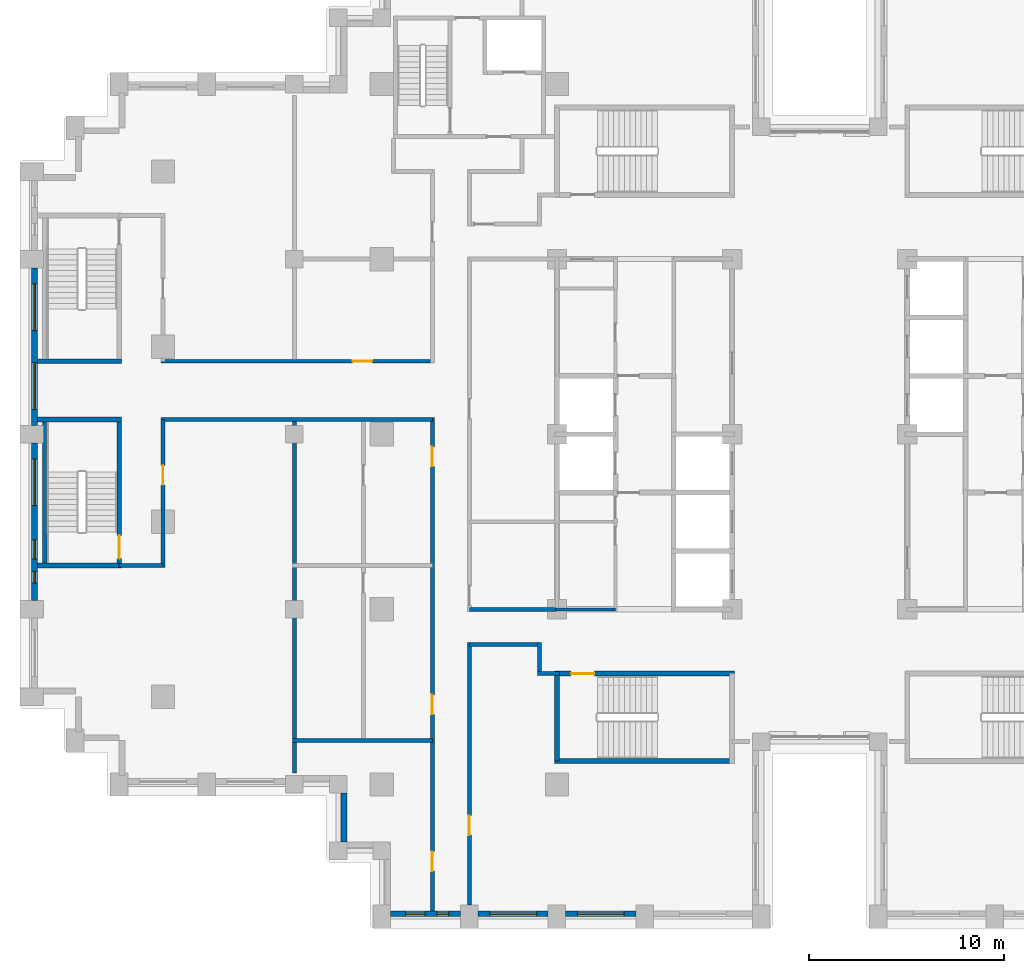
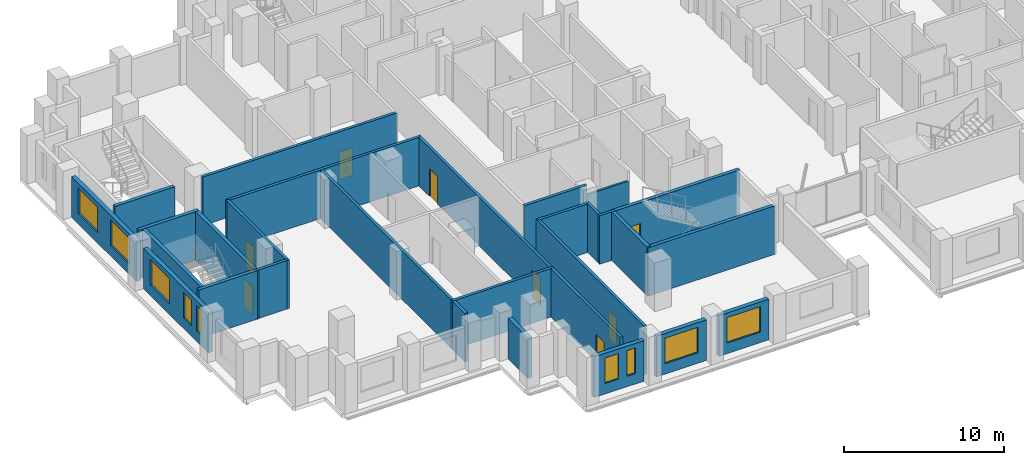
# One storey, part 6 of 16: 27 walls, 9 windows, 8 doors, 17 openings.
"""IFC4 building model written with IfcOpenShell, lengths in metres."""

from ifc_helpers import new_model, si_unit, direction, frame, frame_2d, origin, place, context, subcontext, project, spatial, rectangle, extrude, material, layer, layer_set, type_object, element, fill, save


model = new_model("IFC4")

# Units and contexts
model_context = context("Model", 3, precision=1e-05, world=origin(), true_north=direction((0.0, 1.0)))
body_context = subcontext(model_context, "Body", "Model", "MODEL_VIEW")
ifc_project = project(units=[si_unit("LENGTHUNIT", "METRE"), si_unit("AREAUNIT", "SQUARE_METRE"), si_unit("VOLUMEUNIT", "CUBIC_METRE"), si_unit("PLANEANGLEUNIT", "RADIAN"), si_unit("MASSUNIT", "GRAM", prefix="KILO")], contexts=[model_context])

# Site, building, storey
site_placement = place(None, origin())
site = spatial("IfcSite", under=ifc_project, at=site_placement, CompositionType="ELEMENT")
building_placement = place(site_placement, origin())
building = spatial("IfcBuilding", under=site, at=building_placement, Name="Corbelhall Arena Tower", CompositionType="ELEMENT")
storey_placement = place(building_placement, frame((0.0, 0.0, 112.0)))
storey = spatial("IfcBuildingStorey", under=building, at=storey_placement, Name="L20", CompositionType="ELEMENT", Elevation=112.0)

# Wall, openings, windows
ifc_material_1 = material(Name="Precast concrete C40/50 with granite facing", Category="masonry")
ifc_layer_1 = layer(ifc_material_1, 0.300048828125)
ifc_layer_set_1 = layer_set([ifc_layer_1], Name="EV-IW1 Infill panel 300")
wall_type_1 = type_object("IfcWallType", Name="EV-IW1 Infill panel 300", PredefinedType="SOLIDWALL", material=ifc_layer_set_1)
wall_1_placement = place(storey_placement, frame((-40.35009765625, 8.550048828125, 0.0), z_axis=(0.0, 0.0, 1.0), x_axis=(0.0, -1.0, 0.0)))
wall_1 = element("IfcWall", 1, at=wall_1_placement, inside=storey, type_object=wall_type_1, Name="Infill panel IW1", PredefinedType="SOLIDWALL", context=body_context, shape_type="SweptSolid", body=[
    extrude(rectangle(XDim=8.10009765625, YDim=0.300048828125, at=frame_2d((4.050048828125, 0.0))), origin(), (0.0, 0.0, 1.0), 3.10009765625),
])
opening_1_placement = place(wall_1_placement, frame((0.824951171875, 0.0, 0.800048828125)))
opening_1 = element("IfcOpeningElement", 2, at=opening_1_placement, cuts=wall_1, Name="Opening WN1", PredefinedType="OPENING", context=body_context, shape_type="SweptSolid", body=[
    extrude(rectangle(XDim=2.39990234375, YDim=1.949951171875, at=frame_2d((1.199951171875, 0.97509765625))), frame((0.0, 0.14990234375, 0.0), z_axis=(0.0, -1.0, 0.0), x_axis=(1.0, 0.0, 0.0)), (0.0, 0.0, 1.0), 0.300048828125),
])
opening_2_placement = place(wall_1_placement, frame((4.875, 0.0, 0.800048828125)))
opening_2 = element("IfcOpeningElement", 3, at=opening_2_placement, cuts=wall_1, Name="Opening WN1", PredefinedType="OPENING", context=body_context, shape_type="SweptSolid", body=[
    extrude(rectangle(XDim=2.39990234375, YDim=1.949951171875, at=frame_2d((1.199951171875, 0.97509765625))), frame((0.0, 0.14990234375, 0.0), z_axis=(0.0, -1.0, 0.0), x_axis=(1.0, 0.0, 0.0)), (0.0, 0.0, 1.0), 0.300048828125),
])
ifc_material_2 = material(Name="Aluminium black anodised", Category="aluminium")
window_type_1 = type_object("IfcWindowType", Name="EV-WN1 Office window", PartitioningType="SINGLE_PANEL", PredefinedType="WINDOW", material=ifc_material_2)
window_1_placement = place(opening_1_placement, origin())
window_1 = element("IfcWindow", 4, at=window_1_placement, inside=storey, type_object=window_type_1, Name="Window WN1", OverallHeight=1.949951171875, OverallWidth=2.39990234375, PartitioningType="SINGLE_PANEL", PredefinedType="WINDOW", context=body_context, shape_type="SweptSolid", body=[
    extrude(rectangle(XDim=2.39990234375, YDim=1.949951171875, at=frame_2d((1.199951171875, 0.97509765625))), frame((0.0, 0.030029296875, 0.0), z_axis=(0.0, -1.0, 0.0), x_axis=(1.0, 0.0, 0.0)), (0.0, 0.0, 1.0), 0.06005859375),
])
fill(opening_1, window_1)
window_2_placement = place(opening_2_placement, origin())
window_2 = element("IfcWindow", 5, at=window_2_placement, inside=storey, type_object=window_type_1, Name="Window WN1", OverallHeight=1.949951171875, OverallWidth=2.39990234375, PartitioningType="SINGLE_PANEL", PredefinedType="WINDOW", context=body_context, shape_type="SweptSolid", body=[
    extrude(rectangle(XDim=2.39990234375, YDim=1.949951171875, at=frame_2d((1.199951171875, 0.97509765625))), frame((0.0, 0.030029296875, 0.0), z_axis=(0.0, -1.0, 0.0), x_axis=(1.0, 0.0, 0.0)), (0.0, 0.0, 1.0), 0.06005859375),
])
fill(opening_2, window_2)

wall_2_placement = place(storey_placement, frame((-40.35009765625, -0.449951171875, 0.0), z_axis=(0.0, 0.0, 1.0), x_axis=(0.0, -1.0, 0.0)))
wall_2 = element("IfcWall", 6, at=wall_2_placement, inside=storey, type_object=wall_type_1, Name="Infill panel IW1", PredefinedType="SOLIDWALL", context=body_context, shape_type="SweptSolid", body=[
    extrude(rectangle(XDim=8.10009765625, YDim=0.300048828125, at=frame_2d((4.050048828125, 0.0))), origin(), (0.0, 0.0, 1.0), 3.10009765625),
])
opening_3_placement = place(wall_2_placement, frame((0.824951171875, 0.0, 0.800048828125)))
opening_3 = element("IfcOpeningElement", 7, at=opening_3_placement, cuts=wall_2, Name="Opening WN1", PredefinedType="OPENING", context=body_context, shape_type="SweptSolid", body=[
    extrude(rectangle(XDim=2.39990234375, YDim=1.949951171875, at=frame_2d((1.199951171875, 0.97509765625))), frame((0.0, 0.14990234375, 0.0), z_axis=(0.0, -1.0, 0.0), x_axis=(1.0, 0.0, 0.0)), (0.0, 0.0, 1.0), 0.300048828125),
])
opening_4_placement = place(wall_2_placement, frame((4.97509765625, 0.0, 0.800048828125)))
opening_4 = element("IfcOpeningElement", 8, at=opening_4_placement, cuts=wall_2, Name="Opening WN6", PredefinedType="OPENING", context=body_context, shape_type="SweptSolid", body=[
    extrude(rectangle(XDim=1.0, YDim=1.949951171875, at=frame_2d((0.5, 0.97509765625))), frame((0.0, 0.14990234375, 0.0), z_axis=(0.0, -1.0, 0.0), x_axis=(1.0, 0.0, 0.0)), (0.0, 0.0, 1.0), 0.300048828125),
])
opening_5_placement = place(wall_2_placement, frame((6.60009765625, 0.0, 0.800048828125)))
opening_5 = element("IfcOpeningElement", 9, at=opening_5_placement, cuts=wall_2, Name="Opening WN5", PredefinedType="OPENING", context=body_context, shape_type="SweptSolid", body=[
    extrude(rectangle(XDim=0.60009765625, YDim=1.949951171875, at=frame_2d((0.300048828125, 0.97509765625))), frame((0.0, 0.14990234375, 0.0), z_axis=(0.0, -1.0, 0.0), x_axis=(1.0, 0.0, 0.0)), (0.0, 0.0, 1.0), 0.300048828125),
])
window_3_placement = place(opening_3_placement, origin())
window_3 = element("IfcWindow", 10, at=window_3_placement, inside=storey, type_object=window_type_1, Name="Window WN1", OverallHeight=1.949951171875, OverallWidth=2.39990234375, PartitioningType="SINGLE_PANEL", PredefinedType="WINDOW", context=body_context, shape_type="SweptSolid", body=[
    extrude(rectangle(XDim=2.39990234375, YDim=1.949951171875, at=frame_2d((1.199951171875, 0.97509765625))), frame((0.0, 0.030029296875, 0.0), z_axis=(0.0, -1.0, 0.0), x_axis=(1.0, 0.0, 0.0)), (0.0, 0.0, 1.0), 0.06005859375),
])
fill(opening_3, window_3)
window_type_2 = type_object("IfcWindowType", Name="EV-WN5 Office window 600", PartitioningType="SINGLE_PANEL", PredefinedType="WINDOW", material=ifc_material_2)
window_4_placement = place(opening_5_placement, origin())
window_4 = element("IfcWindow", 11, at=window_4_placement, inside=storey, type_object=window_type_2, Name="Window WN5", OverallHeight=1.949951171875, OverallWidth=0.60009765625, PartitioningType="SINGLE_PANEL", PredefinedType="WINDOW", context=body_context, shape_type="SweptSolid", body=[
    extrude(rectangle(XDim=0.60009765625, YDim=1.949951171875, at=frame_2d((0.300048828125, 0.97509765625))), frame((0.0, 0.030029296875, 0.0), z_axis=(0.0, -1.0, 0.0), x_axis=(1.0, 0.0, 0.0)), (0.0, 0.0, 1.0), 0.06005859375),
])
fill(opening_5, window_4)
window_type_3 = type_object("IfcWindowType", Name="EV-WN6 Office window 1000", PartitioningType="SINGLE_PANEL", PredefinedType="WINDOW", material=ifc_material_2)
window_5_placement = place(opening_4_placement, origin())
window_5 = element("IfcWindow", 12, at=window_5_placement, inside=storey, type_object=window_type_3, Name="Window WN6", OverallHeight=1.949951171875, OverallWidth=1.0, PartitioningType="SINGLE_PANEL", PredefinedType="WINDOW", context=body_context, shape_type="SweptSolid", body=[
    extrude(rectangle(XDim=1.0, YDim=1.949951171875, at=frame_2d((0.5, 0.97509765625))), frame((0.0, 0.030029296875, 0.0), z_axis=(0.0, -1.0, 0.0), x_axis=(1.0, 0.0, 0.0)), (0.0, 0.0, 1.0), 0.06005859375),
])
fill(opening_4, window_5)

# Wall
wall_3_placement = place(storey_placement, frame((-24.449951171875, -18.449951171875, 0.0), z_axis=(0.0, 0.0, 1.0), x_axis=(0.0, -1.0, 0.0)))
element("IfcWall", 13, at=wall_3_placement, inside=storey, type_object=wall_type_1, Name="Infill panel IW1", PredefinedType="SOLIDWALL", context=body_context, shape_type="SweptSolid", body=[
    extrude(rectangle(XDim=2.5, YDim=0.300048828125, at=frame_2d((1.25, 0.0))), origin(), (0.0, 0.0, 1.0), 3.10009765625),
])

# Wall, openings, windows
wall_4_placement = place(storey_placement, frame((-22.050048828125, -24.64990234375, 0.0), z_axis=(0.0, 0.0, 1.0), x_axis=(1.0, 0.0, 0.0)))
wall_4 = element("IfcWall", 14, at=wall_4_placement, inside=storey, type_object=wall_type_1, Name="Infill panel IW1", PredefinedType="SOLIDWALL", context=body_context, shape_type="SweptSolid", body=[
    extrude(rectangle(XDim=3.60009765625, YDim=0.300048828125, at=frame_2d((1.800048828125, 0.0))), origin(), (0.0, 0.0, 1.0), 3.10009765625),
])
opening_6_placement = place(wall_4_placement, frame((0.77490234375, 0.0, 0.800048828125)))
opening_6 = element("IfcOpeningElement", 15, at=opening_6_placement, cuts=wall_4, Name="Opening WN6", PredefinedType="OPENING", context=body_context, shape_type="SweptSolid", body=[
    extrude(rectangle(XDim=1.0, YDim=1.949951171875, at=frame_2d((0.5, 0.97509765625))), frame((0.0, 0.14990234375, 0.0), z_axis=(0.0, -1.0, 0.0), x_axis=(1.0, 0.0, 0.0)), (0.0, 0.0, 1.0), 0.300048828125),
])
opening_7_placement = place(wall_4_placement, frame((2.375, 0.0, 0.800048828125)))
opening_7 = element("IfcOpeningElement", 16, at=opening_7_placement, cuts=wall_4, Name="Opening WN5", PredefinedType="OPENING", context=body_context, shape_type="SweptSolid", body=[
    extrude(rectangle(XDim=0.60009765625, YDim=1.949951171875, at=frame_2d((0.300048828125, 0.97509765625))), frame((0.0, 0.14990234375, 0.0), z_axis=(0.0, -1.0, 0.0), x_axis=(1.0, 0.0, 0.0)), (0.0, 0.0, 1.0), 0.300048828125),
])
window_6_placement = place(opening_7_placement, origin())
window_6 = element("IfcWindow", 17, at=window_6_placement, inside=storey, type_object=window_type_2, Name="Window WN5", OverallHeight=1.949951171875, OverallWidth=0.60009765625, PartitioningType="SINGLE_PANEL", PredefinedType="WINDOW", context=body_context, shape_type="SweptSolid", body=[
    extrude(rectangle(XDim=0.60009765625, YDim=1.949951171875, at=frame_2d((0.300048828125, 0.97509765625))), frame((0.0, 0.030029296875, 0.0), z_axis=(0.0, -1.0, 0.0), x_axis=(1.0, 0.0, 0.0)), (0.0, 0.0, 1.0), 0.06005859375),
])
fill(opening_7, window_6)
window_7_placement = place(opening_6_placement, origin())
window_7 = element("IfcWindow", 18, at=window_7_placement, inside=storey, type_object=window_type_3, Name="Window WN6", OverallHeight=1.949951171875, OverallWidth=1.0, PartitioningType="SINGLE_PANEL", PredefinedType="WINDOW", context=body_context, shape_type="SweptSolid", body=[
    extrude(rectangle(XDim=1.0, YDim=1.949951171875, at=frame_2d((0.5, 0.97509765625))), frame((0.0, 0.030029296875, 0.0), z_axis=(0.0, -1.0, 0.0), x_axis=(1.0, 0.0, 0.0)), (0.0, 0.0, 1.0), 0.06005859375),
])
fill(opening_6, window_7)

# Wall, opening, window
wall_5_placement = place(storey_placement, frame((-17.550048828125, -24.64990234375, 0.0), z_axis=(0.0, 0.0, 1.0), x_axis=(1.0, 0.0, 0.0)))
wall_5 = element("IfcWall", 19, at=wall_5_placement, inside=storey, type_object=wall_type_1, Name="Infill panel IW1", PredefinedType="SOLIDWALL", context=body_context, shape_type="SweptSolid", body=[
    extrude(rectangle(XDim=3.60009765625, YDim=0.300048828125, at=frame_2d((1.800048828125, 0.0))), origin(), (0.0, 0.0, 1.0), 3.10009765625),
])
opening_8_placement = place(wall_5_placement, frame((0.60009765625, 0.0, 0.800048828125)))
opening_8 = element("IfcOpeningElement", 20, at=opening_8_placement, cuts=wall_5, Name="Opening WN1", PredefinedType="OPENING", context=body_context, shape_type="SweptSolid", body=[
    extrude(rectangle(XDim=2.39990234375, YDim=1.949951171875, at=frame_2d((1.199951171875, 0.97509765625))), frame((0.0, 0.14990234375, 0.0), z_axis=(0.0, -1.0, 0.0), x_axis=(1.0, 0.0, 0.0)), (0.0, 0.0, 1.0), 0.300048828125),
])
window_8_placement = place(opening_8_placement, origin())
window_8 = element("IfcWindow", 21, at=window_8_placement, inside=storey, type_object=window_type_1, Name="Window WN1", OverallHeight=1.949951171875, OverallWidth=2.39990234375, PartitioningType="SINGLE_PANEL", PredefinedType="WINDOW", context=body_context, shape_type="SweptSolid", body=[
    extrude(rectangle(XDim=2.39990234375, YDim=1.949951171875, at=frame_2d((1.199951171875, 0.97509765625))), frame((0.0, 0.030029296875, 0.0), z_axis=(0.0, -1.0, 0.0), x_axis=(1.0, 0.0, 0.0)), (0.0, 0.0, 1.0), 0.06005859375),
])
fill(opening_8, window_8)

wall_6_placement = place(storey_placement, frame((-13.050048828125, -24.64990234375, 0.0), z_axis=(0.0, 0.0, 1.0), x_axis=(1.0, 0.0, 0.0)))
wall_6 = element("IfcWall", 22, at=wall_6_placement, inside=storey, type_object=wall_type_1, Name="Infill panel IW1", PredefinedType="SOLIDWALL", context=body_context, shape_type="SweptSolid", body=[
    extrude(rectangle(XDim=3.60009765625, YDim=0.300048828125, at=frame_2d((1.800048828125, 0.0))), origin(), (0.0, 0.0, 1.0), 3.10009765625),
])
opening_9_placement = place(wall_6_placement, frame((0.60009765625, 0.0, 0.800048828125)))
opening_9 = element("IfcOpeningElement", 23, at=opening_9_placement, cuts=wall_6, Name="Opening WN1", PredefinedType="OPENING", context=body_context, shape_type="SweptSolid", body=[
    extrude(rectangle(XDim=2.39990234375, YDim=1.949951171875, at=frame_2d((1.199951171875, 0.97509765625))), frame((0.0, 0.14990234375, 0.0), z_axis=(0.0, -1.0, 0.0), x_axis=(1.0, 0.0, 0.0)), (0.0, 0.0, 1.0), 0.300048828125),
])
window_9_placement = place(opening_9_placement, origin())
window_9 = element("IfcWindow", 24, at=window_9_placement, inside=storey, type_object=window_type_1, Name="Window WN1", OverallHeight=1.949951171875, OverallWidth=2.39990234375, PartitioningType="SINGLE_PANEL", PredefinedType="WINDOW", context=body_context, shape_type="SweptSolid", body=[
    extrude(rectangle(XDim=2.39990234375, YDim=1.949951171875, at=frame_2d((1.199951171875, 0.97509765625))), frame((0.0, 0.030029296875, 0.0), z_axis=(0.0, -1.0, 0.0), x_axis=(1.0, 0.0, 0.0)), (0.0, 0.0, 1.0), 0.06005859375),
])
fill(opening_9, window_9)

# Wall, opening, door
ifc_material_3 = material(Name="Gypsum board on steel stud, acoustic", Category="steel")
ifc_layer_2 = layer(ifc_material_3, 0.199951171875)
ifc_layer_set_2 = layer_set([ifc_layer_2], Name="IN-W-DM200")
wall_type_2 = type_object("IfcWallType", Name="IN-W-DM200", PredefinedType="PARTITIONING", material=ifc_layer_set_2)
wall_7_placement = place(storey_placement, frame((-33.85009765625, 3.75, 0.0), z_axis=(0.0, 0.0, 1.0), x_axis=(1.0, 0.0, 0.0)))
wall_7 = element("IfcWall", 25, at=wall_7_placement, inside=storey, type_object=wall_type_2, Name="Partition 002", PredefinedType="PARTITIONING", context=body_context, shape_type="SweptSolid", body=[
    extrude(rectangle(XDim=13.9501953125, YDim=0.199951171875, at=frame_2d((6.97509765625, 0.0))), origin(), (0.0, 0.0, 1.0), 3.699951171875),
])
opening_10_placement = place(wall_7_placement, frame((9.85009765625, 0.0, 0.0)))
opening_10 = element("IfcOpeningElement", 26, at=opening_10_placement, cuts=wall_7, Name="Opening 05031", PredefinedType="OPENING", context=body_context, shape_type="SweptSolid", body=[
    extrude(rectangle(XDim=1.0, YDim=2.10009765625, at=frame_2d((0.5, 1.050048828125))), frame((0.0, 0.10009765625, 0.0), z_axis=(0.0, -1.0, 0.0), x_axis=(1.0, 0.0, 0.0)), (0.0, 0.0, 1.0), 0.199951171875),
])
ifc_material_4 = material(Name="Steel door set", Category="steel")
door_type_1 = type_object("IfcDoorType", Name="IN-D-SW100", OperationType="NOTDEFINED", PredefinedType="DOOR", material=ifc_material_4)
door_1_placement = place(opening_10_placement, origin())
door_1 = element("IfcDoor", 27, at=door_1_placement, inside=storey, type_object=door_type_1, Name="Door 031", OperationType="SINGLE_SWING_RIGHT", OverallHeight=2.10009765625, OverallWidth=1.0, PredefinedType="DOOR", context=body_context, shape_type="SweptSolid", body=[
    extrude(rectangle(XDim=1.0, YDim=2.10009765625, at=frame_2d((0.5, 1.050048828125))), frame((0.0, 0.02490234375, 0.0), z_axis=(0.0, -1.0, 0.0), x_axis=(1.0, 0.0, 0.0)), (0.0, 0.0, 1.0), 0.050048828125),
])
fill(opening_10, door_1)

# Wall
wall_8_placement = place(storey_placement, frame((-33.75, -6.75, 0.0), z_axis=(0.0, 0.0, 1.0), x_axis=(-1.0, 0.0, 0.0)))
element("IfcWall", 28, at=wall_8_placement, inside=storey, type_object=wall_type_2, Name="Partition 003", PredefinedType="PARTITIONING", context=body_context, shape_type="SweptSolid", body=[
    extrude(rectangle(XDim=2.25, YDim=0.199951171875, at=frame_2d((1.125, 0.0))), origin(), (0.0, 0.0, 1.0), 3.699951171875),
])

# Wall, opening, door
wall_9_placement = place(storey_placement, frame((-33.75, 0.75, 0.0), z_axis=(0.0, 0.0, 1.0), x_axis=(0.0, -1.0, 0.0)))
wall_9 = element("IfcWall", 29, at=wall_9_placement, inside=storey, type_object=wall_type_2, Name="Partition 004", PredefinedType="PARTITIONING", context=body_context, shape_type="SweptSolid", body=[
    extrude(rectangle(XDim=7.60009765625, YDim=0.199951171875, at=frame_2d((3.800048828125, 0.0))), origin(), (0.0, 0.0, 1.0), 3.699951171875),
])
opening_11_placement = place(wall_9_placement, frame((2.35009765625, 0.0, 0.0)))
opening_11 = element("IfcOpeningElement", 30, at=opening_11_placement, cuts=wall_9, Name="Opening 05046", PredefinedType="OPENING", context=body_context, shape_type="SweptSolid", body=[
    extrude(rectangle(XDim=1.0, YDim=2.10009765625, at=frame_2d((0.5, 1.050048828125))), frame((0.0, 0.10009765625, 0.0), z_axis=(0.0, -1.0, 0.0), x_axis=(1.0, 0.0, 0.0)), (0.0, 0.0, 1.0), 0.199951171875),
])
door_2_placement = place(opening_11_placement, origin())
door_2 = element("IfcDoor", 31, at=door_2_placement, inside=storey, type_object=door_type_1, Name="Door 046", OperationType="SINGLE_SWING_LEFT", OverallHeight=2.10009765625, OverallWidth=1.0, PredefinedType="DOOR", context=body_context, shape_type="SweptSolid", body=[
    extrude(rectangle(XDim=1.0, YDim=2.10009765625, at=frame_2d((0.5, 1.050048828125))), frame((0.0, 0.02490234375, 0.0), z_axis=(0.0, -1.0, 0.0), x_axis=(1.0, 0.0, 0.0)), (0.0, 0.0, 1.0), 0.050048828125),
])
fill(opening_11, door_2)

# Walls
wall_10_placement = place(storey_placement, frame((-27.10009765625, -15.75, 0.0), z_axis=(0.0, 0.0, 1.0), x_axis=(1.0, 0.0, 0.0)))
element("IfcWall", 32, at=wall_10_placement, inside=storey, type_object=wall_type_2, Name="Partition 006", PredefinedType="PARTITIONING", context=body_context, shape_type="SweptSolid", body=[
    extrude(rectangle(XDim=7.2001953125, YDim=0.199951171875, at=frame_2d((3.60009765625, 0.0))), origin(), (0.0, 0.0, 1.0), 3.699951171875),
])
wall_11_placement = place(storey_placement, frame((-27.0, -17.39990234375, 0.0), z_axis=(0.0, 0.0, 1.0), x_axis=(0.0, 1.0, 0.0)))
element("IfcWall", 33, at=wall_11_placement, inside=storey, type_object=wall_type_2, Name="Partition 009", PredefinedType="PARTITIONING", context=body_context, shape_type="SweptSolid", body=[
    extrude(rectangle(XDim=18.14990234375, YDim=0.199951171875, at=frame_2d((9.074951171875, 0.0))), origin(), (0.0, 0.0, 1.0), 3.699951171875),
])
wall_12_placement = place(storey_placement, frame((-19.89990234375, 0.75, 0.0), z_axis=(0.0, 0.0, 1.0), x_axis=(-1.0, 0.0, 0.0)))
element("IfcWall", 34, at=wall_12_placement, inside=storey, type_object=wall_type_2, Name="Partition 011", PredefinedType="PARTITIONING", context=body_context, shape_type="SweptSolid", body=[
    extrude(rectangle(XDim=13.9501953125, YDim=0.199951171875, at=frame_2d((6.97509765625, 0.0))), origin(), (0.0, 0.0, 1.0), 3.699951171875),
])

# Wall, openings, doors
wall_13_placement = place(storey_placement, frame((-19.89990234375, -24.5, 0.0), z_axis=(0.0, 0.0, 1.0), x_axis=(0.0, 1.0, 0.0)))
wall_13 = element("IfcWall", 35, at=wall_13_placement, inside=storey, type_object=wall_type_2, Name="Partition 014", PredefinedType="PARTITIONING", context=body_context, shape_type="SweptSolid", body=[
    extrude(rectangle(XDim=25.35009765625, YDim=0.199951171875, at=frame_2d((12.675048828125, 0.0))), origin(), (0.0, 0.0, 1.0), 3.699951171875),
])
opening_12_placement = place(wall_13_placement, frame((2.050048828125, 0.0, 0.0)))
opening_12 = element("IfcOpeningElement", 36, at=opening_12_placement, cuts=wall_13, Name="Opening 05033", PredefinedType="OPENING", context=body_context, shape_type="SweptSolid", body=[
    extrude(rectangle(XDim=1.0, YDim=2.10009765625, at=frame_2d((0.5, 1.050048828125))), frame((0.0, 0.10009765625, 0.0), z_axis=(0.0, -1.0, 0.0), x_axis=(1.0, 0.0, 0.0)), (0.0, 0.0, 1.0), 0.199951171875),
])
opening_13_placement = place(wall_13_placement, frame((10.10009765625, 0.0, 0.0)))
opening_13 = element("IfcOpeningElement", 37, at=opening_13_placement, cuts=wall_13, Name="Opening 05034", PredefinedType="OPENING", context=body_context, shape_type="SweptSolid", body=[
    extrude(rectangle(XDim=1.0, YDim=2.10009765625, at=frame_2d((0.5, 1.050048828125))), frame((0.0, 0.10009765625, 0.0), z_axis=(0.0, -1.0, 0.0), x_axis=(1.0, 0.0, 0.0)), (0.0, 0.0, 1.0), 0.199951171875),
])
opening_14_placement = place(wall_13_placement, frame((22.85009765625, 0.0, 0.0)))
opening_14 = element("IfcOpeningElement", 38, at=opening_14_placement, cuts=wall_13, Name="Opening 05036", PredefinedType="OPENING", context=body_context, shape_type="SweptSolid", body=[
    extrude(rectangle(XDim=1.0, YDim=2.10009765625, at=frame_2d((0.5, 1.050048828125))), frame((0.0, 0.10009765625, 0.0), z_axis=(0.0, -1.0, 0.0), x_axis=(1.0, 0.0, 0.0)), (0.0, 0.0, 1.0), 0.199951171875),
])
door_3_placement = place(opening_12_placement, origin())
door_3 = element("IfcDoor", 39, at=door_3_placement, inside=storey, type_object=door_type_1, Name="Door 033", OperationType="SINGLE_SWING_RIGHT", OverallHeight=2.10009765625, OverallWidth=1.0, PredefinedType="DOOR", context=body_context, shape_type="SweptSolid", body=[
    extrude(rectangle(XDim=1.0, YDim=2.10009765625, at=frame_2d((0.5, 1.050048828125))), frame((0.0, 0.02490234375, 0.0), z_axis=(0.0, -1.0, 0.0), x_axis=(1.0, 0.0, 0.0)), (0.0, 0.0, 1.0), 0.050048828125),
])
fill(opening_12, door_3)
door_4_placement = place(opening_13_placement, origin())
door_4 = element("IfcDoor", 40, at=door_4_placement, inside=storey, type_object=door_type_1, Name="Door 034", OperationType="SINGLE_SWING_LEFT", OverallHeight=2.10009765625, OverallWidth=1.0, PredefinedType="DOOR", context=body_context, shape_type="SweptSolid", body=[
    extrude(rectangle(XDim=1.0, YDim=2.10009765625, at=frame_2d((0.5, 1.050048828125))), frame((0.0, 0.02490234375, 0.0), z_axis=(0.0, -1.0, 0.0), x_axis=(1.0, 0.0, 0.0)), (0.0, 0.0, 1.0), 0.050048828125),
])
fill(opening_13, door_4)
door_5_placement = place(opening_14_placement, origin())
door_5 = element("IfcDoor", 41, at=door_5_placement, inside=storey, type_object=door_type_1, Name="Door 036", OperationType="SINGLE_SWING_LEFT", OverallHeight=2.10009765625, OverallWidth=1.0, PredefinedType="DOOR", context=body_context, shape_type="SweptSolid", body=[
    extrude(rectangle(XDim=1.0, YDim=2.10009765625, at=frame_2d((0.5, 1.050048828125))), frame((0.0, 0.02490234375, 0.0), z_axis=(0.0, -1.0, 0.0), x_axis=(1.0, 0.0, 0.0)), (0.0, 0.0, 1.0), 0.050048828125),
])
fill(opening_14, door_5)

# Wall, opening, door
wall_14_placement = place(storey_placement, frame((-18.0, -10.699951171875, 0.0), z_axis=(0.0, 0.0, 1.0), x_axis=(0.0, -1.0, 0.0)))
wall_14 = element("IfcWall", 42, at=wall_14_placement, inside=storey, type_object=wall_type_2, Name="Partition 017", PredefinedType="PARTITIONING", context=body_context, shape_type="SweptSolid", body=[
    extrude(rectangle(XDim=13.5, YDim=0.199951171875, at=frame_2d((6.75, 0.0))), origin(), (0.0, 0.0, 1.0), 3.699951171875),
])
opening_15_placement = place(wall_14_placement, frame((8.89990234375, 0.0, 0.0)))
opening_15 = element("IfcOpeningElement", 43, at=opening_15_placement, cuts=wall_14, Name="Opening 05029", PredefinedType="OPENING", context=body_context, shape_type="SweptSolid", body=[
    extrude(rectangle(XDim=1.0, YDim=2.10009765625, at=frame_2d((0.5, 1.050048828125))), frame((0.0, 0.10009765625, 0.0), z_axis=(0.0, -1.0, 0.0), x_axis=(1.0, 0.0, 0.0)), (0.0, 0.0, 1.0), 0.199951171875),
])
door_6_placement = place(opening_15_placement, origin())
door_6 = element("IfcDoor", 44, at=door_6_placement, inside=storey, type_object=door_type_1, Name="Door 029", OperationType="SINGLE_SWING_RIGHT", OverallHeight=2.10009765625, OverallWidth=1.0, PredefinedType="DOOR", context=body_context, shape_type="SweptSolid", body=[
    extrude(rectangle(XDim=1.0, YDim=2.10009765625, at=frame_2d((0.5, 1.050048828125))), frame((0.0, 0.02490234375, 0.0), z_axis=(0.0, -1.0, 0.0), x_axis=(1.0, 0.0, 0.0)), (0.0, 0.0, 1.0), 0.050048828125),
])
fill(opening_15, door_6)

# Walls
wall_15_placement = place(storey_placement, frame((-18.0, -9.0, 0.0), z_axis=(0.0, 0.0, 1.0), x_axis=(1.0, 0.0, 0.0)))
element("IfcWall", 45, at=wall_15_placement, inside=storey, type_object=wall_type_2, Name="Partition 018", PredefinedType="PARTITIONING", context=body_context, shape_type="SweptSolid", body=[
    extrude(rectangle(XDim=4.5, YDim=0.199951171875, at=frame_2d((2.25, 0.0))), origin(), (0.0, 0.0, 1.0), 3.699951171875),
])
wall_16_placement = place(storey_placement, frame((-14.39990234375, -12.300048828125, 0.0), z_axis=(0.0, 0.0, 1.0), x_axis=(0.0, 1.0, 0.0)))
element("IfcWall", 46, at=wall_16_placement, inside=storey, type_object=wall_type_2, Name="Partition 027", PredefinedType="PARTITIONING", context=body_context, shape_type="SweptSolid", body=[
    extrude(rectangle(XDim=1.60009765625, YDim=0.199951171875, at=frame_2d((0.800048828125, 0.0))), origin(), (0.0, 0.0, 1.0), 3.699951171875),
])
wall_17_placement = place(storey_placement, frame((-14.39990234375, -10.800048828125, 0.0), z_axis=(0.0, 0.0, 1.0), x_axis=(-1.0, 0.0, 0.0)))
element("IfcWall", 47, at=wall_17_placement, inside=storey, type_object=wall_type_2, Name="Partition 028", PredefinedType="PARTITIONING", context=body_context, shape_type="SweptSolid", body=[
    extrude(rectangle(XDim=3.60009765625, YDim=0.199951171875, at=frame_2d((1.800048828125, 0.0))), origin(), (0.0, 0.0, 1.0), 3.699951171875),
])
wall_18_placement = place(storey_placement, frame((-13.375, -12.300048828125, 0.0), z_axis=(0.0, 0.0, 1.0), x_axis=(-1.0, 0.0, 0.0)))
element("IfcWall", 48, at=wall_18_placement, inside=storey, type_object=wall_type_2, Name="Partition 031", PredefinedType="PARTITIONING", context=body_context, shape_type="SweptSolid", body=[
    extrude(rectangle(XDim=1.125, YDim=0.199951171875, at=frame_2d((0.5625, 0.0))), origin(), (0.0, 0.0, 1.0), 3.699951171875),
])
ifc_material_5 = material(Name="Concrete C40/50", Category="concrete")
ifc_layer_3 = layer(ifc_material_5, 0.25)
ifc_layer_set_3 = layer_set([ifc_layer_3], Name="IN-W-ST250")
wall_type_3 = type_object("IfcWallType", Name="IN-W-ST250", PredefinedType="SOLIDWALL", material=ifc_layer_set_3)
wall_19_placement = place(storey_placement, frame((-40.199951171875, 3.75, 0.0), z_axis=(0.0, 0.0, 1.0), x_axis=(1.0, 0.0, 0.0)))
element("IfcWall", 49, at=wall_19_placement, inside=storey, type_object=wall_type_3, Name="Shaft wall 101", PredefinedType="SOLIDWALL", context=body_context, shape_type="SweptSolid", body=[
    extrude(rectangle(XDim=4.324951171875, YDim=0.25, at=frame_2d((2.16259765625, 0.0))), origin(), (0.0, 0.0, 1.0), 3.699951171875),
])
wall_20_placement = place(storey_placement, frame((-36.0, -6.75, 0.0), z_axis=(0.0, 0.0, 1.0), x_axis=(-1.0, 0.0, 0.0)))
element("IfcWall", 50, at=wall_20_placement, inside=storey, type_object=wall_type_3, Name="Shaft wall 103", PredefinedType="SOLIDWALL", context=body_context, shape_type="SweptSolid", body=[
    extrude(rectangle(XDim=4.199951171875, YDim=0.25, at=frame_2d((2.10009765625, 0.0))), origin(), (0.0, 0.0, 1.0), 3.699951171875),
])

# Wall, opening, door
wall_21_placement = place(storey_placement, frame((-36.0, 0.75, 0.0), z_axis=(0.0, 0.0, 1.0), x_axis=(0.0, -1.0, 0.0)))
wall_21 = element("IfcWall", 51, at=wall_21_placement, inside=storey, type_object=wall_type_3, Name="Shaft wall 104", PredefinedType="SOLIDWALL", context=body_context, shape_type="SweptSolid", body=[
    extrude(rectangle(XDim=7.625, YDim=0.25, at=frame_2d((3.8125, 0.0))), origin(), (0.0, 0.0, 1.0), 3.699951171875),
])
opening_16_placement = place(wall_21_placement, frame((5.949951171875, 0.0, 0.0)))
opening_16 = element("IfcOpeningElement", 52, at=opening_16_placement, cuts=wall_21, Name="Opening 05019", PredefinedType="OPENING", context=body_context, shape_type="SweptSolid", body=[
    extrude(rectangle(XDim=1.199951171875, YDim=2.10009765625, at=frame_2d((0.60009765625, 1.050048828125))), frame((0.0, 0.125, 0.0), z_axis=(0.0, -1.0, 0.0), x_axis=(1.0, 0.0, 0.0)), (0.0, 0.0, 1.0), 0.25),
])
door_type_2 = type_object("IfcDoorType", Name="IN-D-ST120", OperationType="NOTDEFINED", PredefinedType="DOOR", material=ifc_material_4)
door_7_placement = place(opening_16_placement, origin())
door_7 = element("IfcDoor", 53, at=door_7_placement, inside=storey, type_object=door_type_2, Name="Door 019", OperationType="SINGLE_SWING_RIGHT", OverallHeight=2.10009765625, OverallWidth=1.199951171875, PredefinedType="DOOR", context=body_context, shape_type="SweptSolid", body=[
    extrude(rectangle(XDim=1.199951171875, YDim=2.10009765625, at=frame_2d((0.60009765625, 1.050048828125))), frame((0.0, 0.02490234375, 0.0), z_axis=(0.0, -1.0, 0.0), x_axis=(1.0, 0.0, 0.0)), (0.0, 0.0, 1.0), 0.050048828125),
])
fill(opening_16, door_7)

# Walls
wall_22_placement = place(storey_placement, frame((-35.875, 0.75, 0.0), z_axis=(0.0, 0.0, 1.0), x_axis=(-1.0, 0.0, 0.0)))
element("IfcWall", 54, at=wall_22_placement, inside=storey, type_object=wall_type_3, Name="Shaft wall 106", PredefinedType="SOLIDWALL", context=body_context, shape_type="SweptSolid", body=[
    extrude(rectangle(XDim=4.324951171875, YDim=0.25, at=frame_2d((2.16259765625, 0.0))), origin(), (0.0, 0.0, 1.0), 3.699951171875),
])
wall_23_placement = place(storey_placement, frame((-13.5, -16.800048828125, 0.0), z_axis=(0.0, 0.0, 1.0), x_axis=(0.0, 1.0, 0.0)))
element("IfcWall", 55, at=wall_23_placement, inside=storey, type_object=wall_type_3, Name="Shaft wall 109", PredefinedType="SOLIDWALL", context=body_context, shape_type="SweptSolid", body=[
    extrude(rectangle(XDim=4.5, YDim=0.25, at=frame_2d((2.25, 0.0))), origin(), (0.0, 0.0, 1.0), 3.699951171875),
])
wall_24_placement = place(storey_placement, frame((-4.5, -16.800048828125, 0.0), z_axis=(0.0, 0.0, 1.0), x_axis=(-1.0, 0.0, 0.0)))
element("IfcWall", 56, at=wall_24_placement, inside=storey, type_object=wall_type_3, Name="Shaft wall 111", PredefinedType="SOLIDWALL", context=body_context, shape_type="SweptSolid", body=[
    extrude(rectangle(XDim=9.125, YDim=0.25, at=frame_2d((4.5625, 0.0))), origin(), (0.0, 0.0, 1.0), 3.699951171875),
])

# Wall, opening, door
wall_25_placement = place(storey_placement, frame((-4.375, -12.300048828125, 0.0), z_axis=(0.0, 0.0, 1.0), x_axis=(-1.0, 0.0, 0.0)))
wall_25 = element("IfcWall", 57, at=wall_25_placement, inside=storey, type_object=wall_type_3, Name="Shaft wall 114", PredefinedType="SOLIDWALL", context=body_context, shape_type="SweptSolid", body=[
    extrude(rectangle(XDim=9.25, YDim=0.25, at=frame_2d((4.625, 0.0))), origin(), (0.0, 0.0, 1.0), 3.699951171875),
])
opening_17_placement = place(wall_25_placement, frame((7.199951171875, 0.0, 0.0)))
opening_17 = element("IfcOpeningElement", 58, at=opening_17_placement, cuts=wall_25, Name="Opening 05015", PredefinedType="OPENING", context=body_context, shape_type="SweptSolid", body=[
    extrude(rectangle(XDim=1.199951171875, YDim=2.10009765625, at=frame_2d((0.60009765625, 1.050048828125))), frame((0.0, 0.125, 0.0), z_axis=(0.0, -1.0, 0.0), x_axis=(1.0, 0.0, 0.0)), (0.0, 0.0, 1.0), 0.25),
])
door_8_placement = place(opening_17_placement, origin())
door_8 = element("IfcDoor", 59, at=door_8_placement, inside=storey, type_object=door_type_2, Name="Door 015", OperationType="SINGLE_SWING_RIGHT", OverallHeight=2.10009765625, OverallWidth=1.199951171875, PredefinedType="DOOR", context=body_context, shape_type="SweptSolid", body=[
    extrude(rectangle(XDim=1.199951171875, YDim=2.10009765625, at=frame_2d((0.60009765625, 1.050048828125))), frame((0.0, 0.02490234375, 0.0), z_axis=(0.0, -1.0, 0.0), x_axis=(1.0, 0.0, 0.0)), (0.0, 0.0, 1.0), 0.050048828125),
])
fill(opening_17, door_8)

# Walls
wall_26_placement = place(storey_placement, frame((-39.824951171875, -6.625, 0.0), z_axis=(0.0, 0.0, 1.0), x_axis=(0.0, 1.0, 0.0)))
element("IfcWall", 60, at=wall_26_placement, inside=storey, type_object=wall_type_3, Name="Shaft wall SC2 facade side", PredefinedType="SOLIDWALL", context=body_context, shape_type="SweptSolid", body=[
    extrude(rectangle(XDim=7.25, YDim=0.25, at=frame_2d((3.625, 0.0))), origin(), (0.0, 0.0, 1.0), 3.699951171875),
])
ifc_material_6 = material(Name="Gypsum board on steel stud, moisture resistant", Category="steel")
ifc_layer_4 = layer(ifc_material_6, 0.14990234375)
ifc_layer_set_4 = layer_set([ifc_layer_4], Name="IN-W-WC150 under beam 762 mm")
wall_type_4 = type_object("IfcWallType", Name="IN-W-WC150 under beam 762 mm", PredefinedType="PARTITIONING", material=ifc_layer_set_4)
wall_27_placement = place(storey_placement, frame((-10.5, -9.0, 0.0), z_axis=(0.0, 0.0, 1.0), x_axis=(-1.0, 0.0, 0.0)))
element("IfcWall", 61, at=wall_27_placement, inside=storey, type_object=wall_type_4, Name="Partition 134", PredefinedType="PARTITIONING", context=body_context, shape_type="SweptSolid", body=[
    extrude(rectangle(XDim=3.074951171875, YDim=0.14990234375, at=frame_2d((1.53759765625, 0.0))), origin(), (0.0, 0.0, 1.0), 2.93798828125),
])

save(model, "model.ifc")
